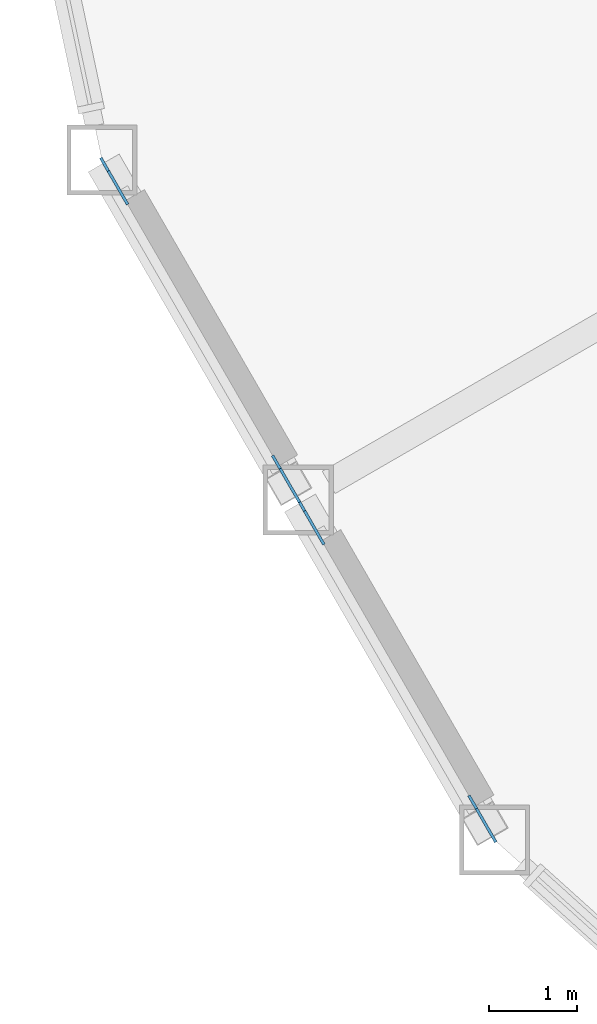
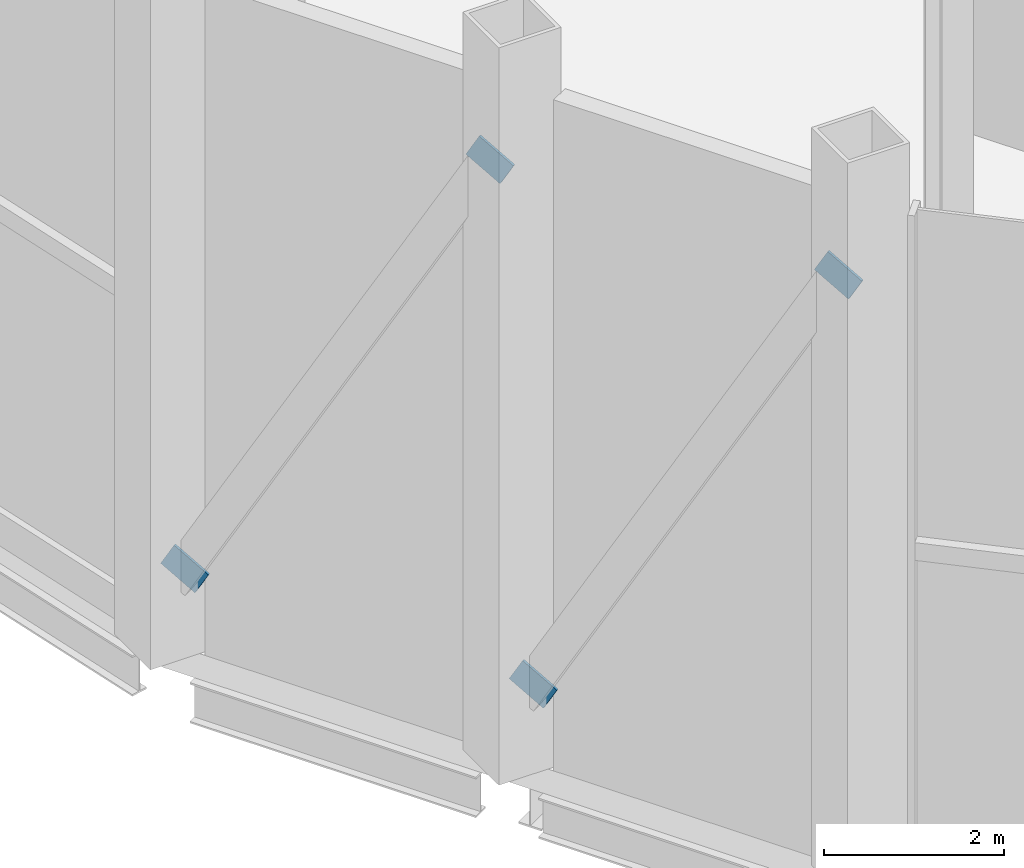
# One storey, part 12 of 18: 4 discrete accessories.
"""IFC4 building model written with IfcOpenShell, lengths in metres."""

from ifc_helpers import new_model, si_unit, direction, frame, origin, origin_2d, place, context, subcontext, project, spatial, rectangle, extrude, material, material_profile, profile_set, type_object, element, save


model = new_model("IFC4")

# Units and contexts
model_context = context("Model", 3, precision=1e-05, world=origin(), true_north=direction((0.0, 1.0)))
body_context = subcontext(model_context, "Body", "Model", "MODEL_VIEW")
ifc_project = project(units=[si_unit("LENGTHUNIT", "METRE"), si_unit("AREAUNIT", "SQUARE_METRE"), si_unit("VOLUMEUNIT", "CUBIC_METRE"), si_unit("PLANEANGLEUNIT", "RADIAN"), si_unit("MASSUNIT", "GRAM", prefix="KILO")], contexts=[model_context])

# Site, building, storey
site_placement = place(None, origin())
site = spatial("IfcSite", under=ifc_project, at=site_placement, CompositionType="ELEMENT")
building_placement = place(site_placement, origin())
building = spatial("IfcBuilding", under=site, at=building_placement, Name="Cormorant Prow Tower", CompositionType="ELEMENT")
storey_placement = place(building_placement, frame((0.0, 0.0, 216.0)))
storey = spatial("IfcBuildingStorey", under=building, at=storey_placement, Name="L48", CompositionType="ELEMENT", Elevation=216.0)

# Discrete accessories
ifc_material = material(Name="Structural steel ASTM A500 Gr C", Category="steel")
ifc_material_profile = material_profile(ifc_material, rectangle(XDim=0.031982421875, YDim=0.506103515625, at=origin_2d()), Name="Gusset plate 32x506")
ifc_profile_set = profile_set([ifc_material_profile], Name="Structural steel ASTM A500 Gr C")
discrete_accessory_type = type_object("IfcDiscreteAccessoryType", Name="Gusset plate 32x506", PredefinedType="BRACKET", material=ifc_profile_set)
discrete_accessory_1_placement = place(storey_placement, frame((-30.11181640625, -12.643798828125, 1.244140625), z_axis=(-0.246219779087, 0.426176444822, -0.870488057509), x_axis=(-0.865878714501, -0.500253987265, 0.0)))
element("IfcDiscreteAccessory", 1, at=discrete_accessory_1_placement, inside=storey, type_object=discrete_accessory_type, Name="Gusset plate GP2 L48.WSW00.g0", PredefinedType="BRACKET", context=body_context, shape_type="SweptSolid", body=[
    extrude(rectangle(XDim=0.031982421875, YDim=0.506103515625, at=origin_2d()), origin(), (0.0, 0.0, 1.0), 0.35009765625),
])
discrete_accessory_2_placement = place(storey_placement, frame((-28.240966796875, -15.88427734375, 7.85693359375), z_axis=(0.246369352896, -0.426435338865, 0.870318932185), x_axis=(0.865878714501, 0.500253987265, 0.0)))
element("IfcDiscreteAccessory", 2, at=discrete_accessory_2_placement, inside=storey, type_object=discrete_accessory_type, Name="Gusset plate GP2 L48.WSW00.g1", PredefinedType="BRACKET", context=body_context, shape_type="SweptSolid", body=[
    extrude(rectangle(XDim=0.031982421875, YDim=0.506103515625, at=origin_2d()), origin(), (0.0, 0.0, 1.0), 0.349853515625),
])
discrete_accessory_3_placement = place(storey_placement, frame((-27.876708984375, -16.515380859375, 1.244140625), z_axis=(-0.246146560371, 0.426747011181, -0.870229199272), x_axis=(-0.866232710263, -0.499640762619, 0.0)))
element("IfcDiscreteAccessory", 3, at=discrete_accessory_3_placement, inside=storey, type_object=discrete_accessory_type, Name="Gusset plate GP2 L48.WSW01.g0", PredefinedType="BRACKET", context=body_context, shape_type="SweptSolid", body=[
    extrude(rectangle(XDim=0.031982421875, YDim=0.506103515625, at=origin_2d()), origin(), (0.0, 0.0, 1.0), 0.35009765625),
])
discrete_accessory_4_placement = place(storey_placement, frame((-26.005859375, -19.755615234375, 7.85693359375), z_axis=(0.246296000702, -0.427006097534, 0.870059809845), x_axis=(0.866232710263, 0.499640762619, 0.0)))
element("IfcDiscreteAccessory", 4, at=discrete_accessory_4_placement, inside=storey, type_object=discrete_accessory_type, Name="Gusset plate GP2 L48.WSW01.g1", PredefinedType="BRACKET", context=body_context, shape_type="SweptSolid", body=[
    extrude(rectangle(XDim=0.031982421875, YDim=0.506103515625, at=origin_2d()), origin(), (0.0, 0.0, 1.0), 0.349853515625),
])

save(model, "model.ifc")
